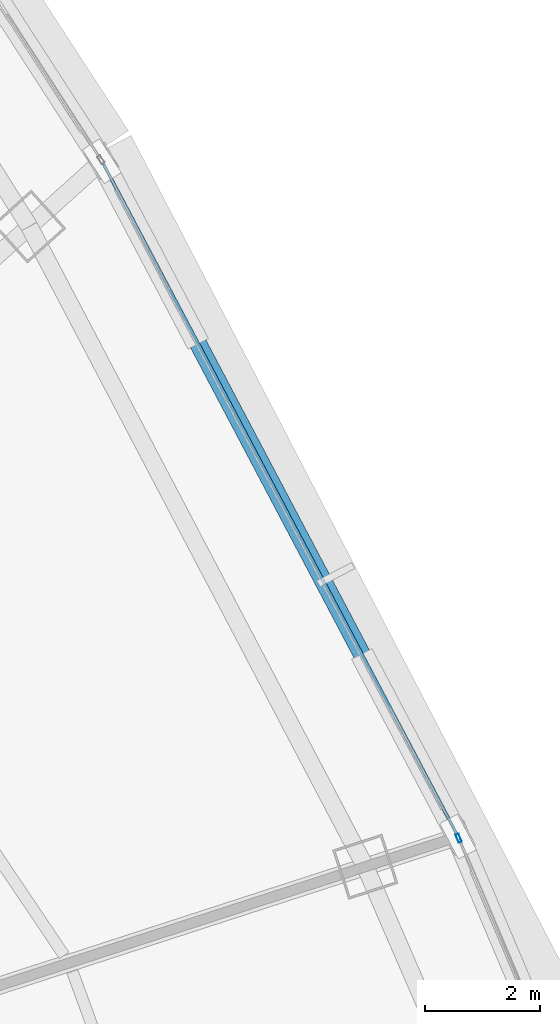
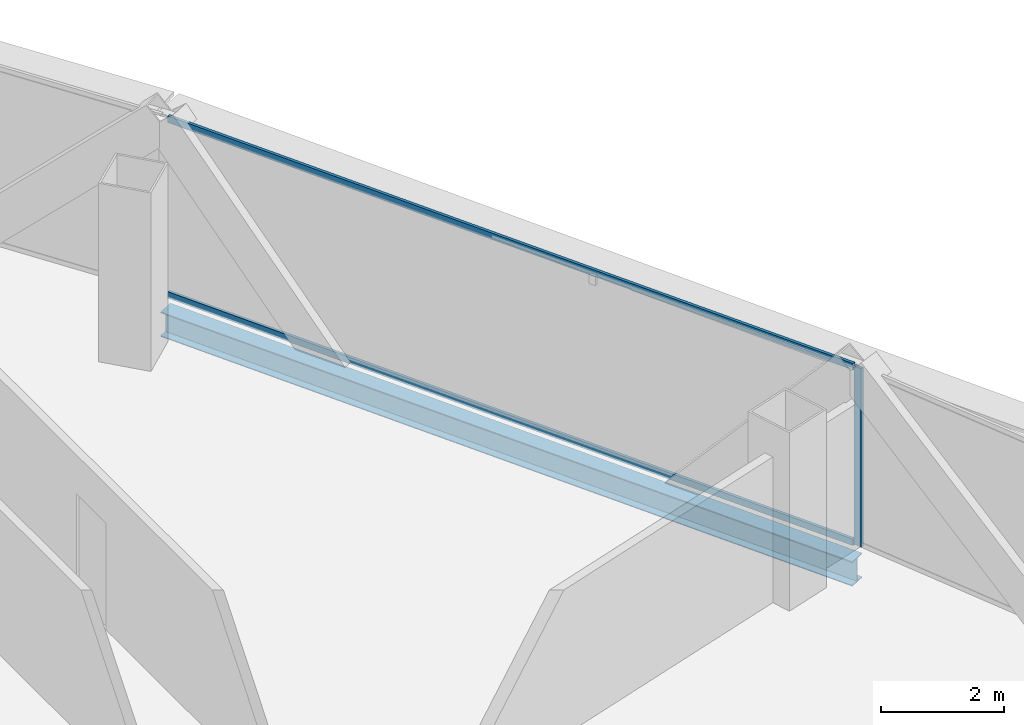
# One storey, part 25 of 38: 3 members, 1 beam, 2 elements without a shape of their own.
"""IFC4 building model written with IfcOpenShell, lengths in metres."""

from ifc_helpers import new_model, si_unit, direction, frame, origin, origin_2d, place, context, subcontext, project, spatial, hollow_rectangle, i_section, extrude, source, transform, mapped, material, layer, layer_set, material_profile, profile_set, type_object, element, aggregate, save


model = new_model("IFC4")

# Units and contexts
model_context = context("Model", 3, precision=1e-05, world=origin(), true_north=direction((0.0, 1.0)))
body_context = subcontext(model_context, "Body", "Model", "MODEL_VIEW")
ifc_project = project(units=[si_unit("LENGTHUNIT", "METRE"), si_unit("AREAUNIT", "SQUARE_METRE"), si_unit("VOLUMEUNIT", "CUBIC_METRE"), si_unit("PLANEANGLEUNIT", "RADIAN"), si_unit("MASSUNIT", "GRAM", prefix="KILO"), si_unit("THERMODYNAMICTEMPERATUREUNIT", "KELVIN"), si_unit("POWERUNIT", "WATT")], contexts=[model_context])

# Site, building, storey
site_placement = place(None, origin())
site = spatial("IfcSite", under=ifc_project, at=site_placement, CompositionType="ELEMENT")
building_placement = place(site_placement, origin())
building = spatial("IfcBuilding", under=site, at=building_placement, Name="Yunzhuo Pagoda Commons", CompositionType="ELEMENT")
storey_placement = place(building_placement, frame((0.0, 0.0, 203.760009765625)))
storey = spatial("IfcBuildingStorey", under=building, at=storey_placement, Name="L51", CompositionType="ELEMENT", Elevation=203.760009765625)

# Beam
ifc_material_1 = material(Name="Structural steel Q355B", Category="steel")
ifc_material_profile_1 = material_profile(ifc_material_1, i_section(OverallWidth=0.300048828125, OverallDepth=0.488037109375, WebThickness=0.010986328125, FlangeThickness=0.01806640625, at=origin_2d()), Name="Structural steel Q355B")
ifc_profile_set_1 = profile_set([ifc_material_profile_1], Name="Structural steel Q355B")
beam_type = type_object("IfcBeamType", Name="B-SP1 Beam HM 488x300x11x18", PredefinedType="BEAM", material=ifc_profile_set_1)
shared_shape_1 = source(origin(), body_context, "Body", "SweptSolid", [
    extrude(i_section(OverallWidth=0.300048828125, OverallDepth=0.488037109375, WebThickness=0.010986328125, FlangeThickness=0.01806640625, at=origin_2d()), origin(), (0.0, 0.0, 1.0), 13.281982421875),
])
beam_placement = place(storey_placement, frame((78.107421875, 43.482421875, -0.503662109375), z_axis=(-0.466373597009, 0.88458785206, 0.0), x_axis=(-0.88458785206, -0.466373597009, 0.0)))
element("IfcBeam", 1, at=beam_placement, inside=storey, type_object=beam_type, Name="L51 facade edge spandrel beam F2.2", PredefinedType="BEAM", context=body_context, shape_type="MappedRepresentation", body=[
    mapped(shared_shape_1, transform((0.0, 0.0, 0.0), scale=1.0)),
])

# Curtain wall, member
ifc_material_2 = material(Name="Anodized aluminium 6063-T6", Category="aluminium")
ifc_layer = layer(ifc_material_2, 0.14990234375)
ifc_layer_set = layer_set([ifc_layer], Name="Anodized aluminium 6063-T6")
curtain_wall_type = type_object("IfcCurtainWallType", Name="CW-MID Mid-Zone Ribbon Curtain Wall", PredefinedType="NOTDEFINED", material=ifc_layer_set)
curtain_wall_1_placement = place(storey_placement, origin())
curtain_wall_1 = element("IfcCurtainWall", 2, at=curtain_wall_1_placement, inside=storey, type_object=curtain_wall_type, Name="L51 curtain wall CW-L51-F2B2", PredefinedType="NOTDEFINED")
ifc_material_profile_2 = material_profile(ifc_material_2, hollow_rectangle(XDim=0.06005859375, YDim=0.14990234375, WallThickness=0.00390625, at=origin_2d()), Name="Anodized aluminium 6063-T6")
ifc_profile_set_2 = profile_set([ifc_material_profile_2], Name="Anodized aluminium 6063-T6")
member_type_1 = type_object("IfcMemberType", Name="CW-MID-M Mullion RHS 150x60x4", PredefinedType="MULLION", material=ifc_profile_set_2)
shared_shape_2 = source(origin(), body_context, "Body", "SweptSolid", [
    extrude(hollow_rectangle(XDim=0.06005859375, YDim=0.14990234375, WallThickness=0.00390625, at=origin_2d()), origin(), (0.0, 0.0, 1.0), 3.5400390625),
])
member_1_placement = place(storey_placement, frame((78.119140625, 43.454833984375, 0.0), z_axis=(0.0, 0.0, 1.0), x_axis=(-0.920824274127, -0.389977763697, 0.0)))
member_1 = element("IfcMember", 3, at=member_1_placement, type_object=member_type_1, Name="CW mullion 2", PredefinedType="MULLION", context=body_context, shape_type="MappedRepresentation", body=[
    mapped(shared_shape_2, transform((0.0, 0.0, 0.0), scale=1.0)),
])
aggregate(curtain_wall_1, [member_1])

# Curtain wall, members
curtain_wall_2_placement = place(storey_placement, origin())
curtain_wall_2 = element("IfcCurtainWall", 4, at=curtain_wall_2_placement, inside=storey, type_object=curtain_wall_type, Name="L51 curtain wall CW-L51-F2B3", PredefinedType="NOTDEFINED")
ifc_material_profile_3 = material_profile(ifc_material_2, hollow_rectangle(XDim=0.054931640625, YDim=0.1298828125, WallThickness=0.00341796875, at=origin_2d()), Name="Anodized aluminium 6063-T6")
ifc_profile_set_3 = profile_set([ifc_material_profile_3], Name="Anodized aluminium 6063-T6")
member_type_2 = type_object("IfcMemberType", Name="CW-MID-T Transom RHS 130x55x3.5", PredefinedType="USERDEFINED", material=ifc_profile_set_3)
shared_shape_3 = source(origin(), body_context, "Body", "SweptSolid", [
    extrude(hollow_rectangle(XDim=0.054931640625, YDim=0.1298828125, WallThickness=0.00341796875, at=origin_2d()), origin(), (0.0, 0.0, 1.0), 13.16162109375),
])
member_2_placement = place(storey_placement, frame((78.079345703125, 43.535888671875, 0.027587890625), z_axis=(-0.46637168839, 0.884588858322, 0.0), x_axis=(-0.884588858322, -0.46637168839, 0.0)))
member_2 = element("IfcMember", 5, at=member_2_placement, type_object=member_type_2, Name="CW transom 1.1", ObjectType="TRANSOM", PredefinedType="USERDEFINED", context=body_context, shape_type="MappedRepresentation", body=[
    mapped(shared_shape_3, transform((0.0, 0.0, 0.0), scale=1.0)),
])
member_3_placement = place(storey_placement, frame((78.079345703125, 43.535888671875, 3.512451171875), z_axis=(-0.46637168839, 0.884588858322, 0.0), x_axis=(-0.884588858322, -0.46637168839, 0.0)))
member_3 = element("IfcMember", 6, at=member_3_placement, type_object=member_type_2, Name="CW transom 1.2", ObjectType="TRANSOM", PredefinedType="USERDEFINED", context=body_context, shape_type="MappedRepresentation", body=[
    mapped(shared_shape_3, transform((0.0, 0.0, 0.0), scale=1.0)),
])
aggregate(curtain_wall_2, [member_2, member_3])

save(model, "model.ifc")
